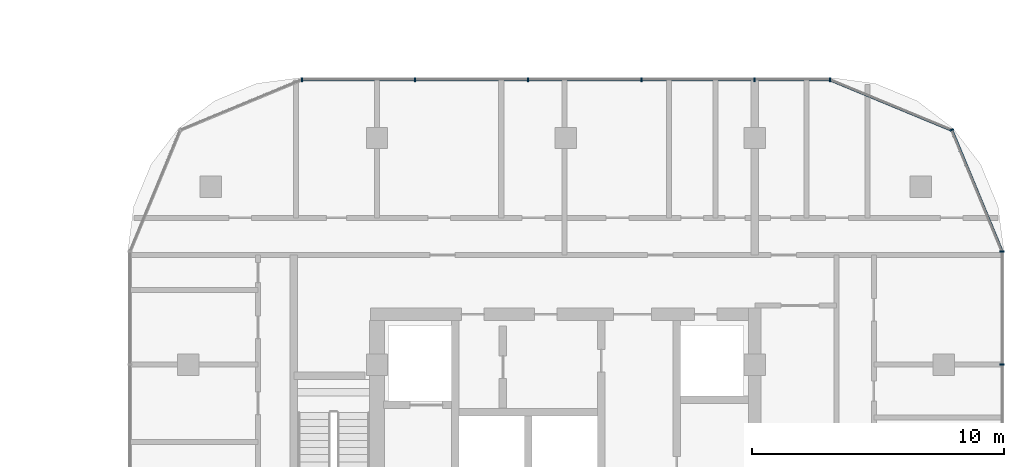
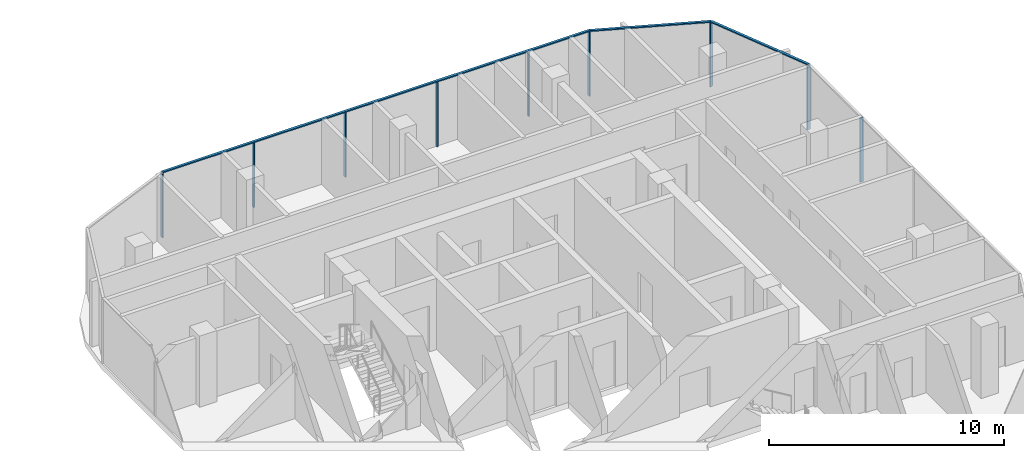
# One storey, part 14 of 34: 12 members, 3 elements without a shape of their own.
"""IFC4 building model written with IfcOpenShell, lengths in metres."""

import ifcopenshell
import ifcopenshell.guid

model = None  # the IFC model being written
_history = None  # IfcOwnerHistory: only IFC2X3 demands one
_inside = {}  # id of a spatial element -> (the spatial element, [elements in it])
_under = {}  # id of a project, library or spatial element -> (it, [spatial elements below it])
_declared = {}  # id of a project -> (the project, [libraries it declares])
_typed = {}  # id of a type object -> (the type object, [elements of that type])
_made_of = {}  # id of a material, layer set ... -> (it, [elements and type objects made of it])


def new_model(schema):
    """Start an empty IFC model of exactly this schema.

    Asked for "IFC4X3", IfcOpenShell would pick the latest addendum, in which some entities
    have other attributes; the version numbers below select the first issue.
    IFC2X3 requires an IfcOwnerHistory on every rooted entity: one is made here for all.
    """
    global model, _history
    if schema == "IFC4X3":
        model = ifcopenshell.file(schema_version=(4, 3, 0, 0))
    else:
        model = ifcopenshell.file(schema=schema)
    _inside.clear()
    _under.clear()
    _declared.clear()
    _typed.clear()
    _made_of.clear()
    _history = None
    if model.schema == "IFC2X3":
        org = make("IfcOrganization", Name="unknown")
        user = make(
            "IfcPersonAndOrganization",
            ThePerson=make("IfcPerson", FamilyName="unknown"),
            TheOrganization=org,
        )
        app = make(
            "IfcApplication",
            ApplicationDeveloper=org,
            Version="unknown",
            ApplicationFullName="unknown",
            ApplicationIdentifier="unknown",
        )
        _history = make(
            "IfcOwnerHistory",
            OwningUser=user,
            OwningApplication=app,
            ChangeAction="ADDED",
            CreationDate=0,
        )
    return model


def make(cls, **values):
    """One entity of the class cls with the attributes given. An attribute that is None is left unset."""
    return model.create_entity(
        cls, **{name: value for name, value in values.items() if value is not None}
    )


def rooted(cls, **values):
    """An entity with a GlobalId (a new one), such as an element, a storey or a relation."""
    return make(cls, GlobalId=ifcopenshell.guid.new(), OwnerHistory=_history, **values)


def si_unit(unit_type, name, prefix=None):
    """IfcSIUnit, for example si_unit("LENGTHUNIT", "METRE", prefix="MILLI")."""
    return make("IfcSIUnit", UnitType=unit_type, Prefix=prefix, Name=name)


def assignment(units):
    """IfcUnitAssignment: the units of a project."""
    return None if units is None else make("IfcUnitAssignment", Units=units)


def point(xyz):
    """IfcCartesianPoint."""
    return None if xyz is None else make("IfcCartesianPoint", Coordinates=xyz)


def direction(xyz):
    """IfcDirection."""
    return None if xyz is None else make("IfcDirection", DirectionRatios=xyz)


def frame(location, z_axis=None, x_axis=None):
    """IfcAxis2Placement3D, a coordinate frame: its origin and axes. An axis left out is left unset."""
    return make(
        "IfcAxis2Placement3D",
        Location=point(location),
        Axis=direction(z_axis),
        RefDirection=direction(x_axis),
    )


def frame_2d(location, x_axis=None):
    """IfcAxis2Placement2D, a coordinate frame in the plane: its origin and x axis."""
    return make(
        "IfcAxis2Placement2D", Location=point(location), RefDirection=direction(x_axis)
    )


def origin():
    """The frame at (0, 0, 0) with its axes left unset."""
    return frame((0.0, 0.0, 0.0))


def origin_2d():
    """The frame at (0, 0) in the plane with its x axis left unset."""
    return frame_2d((0.0, 0.0))


def place(relative_to, where):
    """IfcLocalPlacement: puts the frame where relative to a parent placement (None: the world)."""
    return make(
        "IfcLocalPlacement", PlacementRelTo=relative_to, RelativePlacement=where
    )


def context(
    kind, dimensions, precision=None, world=None, true_north=None, identifier=None
):
    """IfcGeometricRepresentationContext, for example the 3D "Model" context."""
    return make(
        "IfcGeometricRepresentationContext",
        ContextIdentifier=identifier,
        ContextType=kind,
        CoordinateSpaceDimension=dimensions,
        Precision=precision,
        WorldCoordinateSystem=world,
        TrueNorth=true_north,
    )


def subcontext(parent, identifier, kind, view, scale=None):
    """IfcGeometricRepresentationSubContext, for example "Body" below "Model"."""
    return make(
        "IfcGeometricRepresentationSubContext",
        ContextIdentifier=identifier,
        ContextType=kind,
        ParentContext=parent,
        TargetScale=scale,
        TargetView=view,
    )


def project(units=None, contexts=None):
    """IfcProject with its units and contexts."""
    return rooted(
        "IfcProject",
        Name="project",
        RepresentationContexts=contexts,
        UnitsInContext=assignment(units),
    )


def spatial(cls, under=None, at=None, **own):
    """A site, building, storey or space (cls), placed at a placement, below another one or the project."""
    s = rooted(cls, ObjectPlacement=at, **own)
    if under is not None:
        _under.setdefault(under.id(), (under, []))[1].append(s)
    return s


def profile(cls, at=None, kind="AREA", **sizes):
    """A parametric profile (cls). Its sizes go by their IFC names, for example OverallWidth=200.0."""
    return make(cls, ProfileType=kind, Position=at, **sizes)


def rectangle(**sizes):
    """IfcRectangleProfileDef."""
    return profile("IfcRectangleProfileDef", **sizes)


def extrude(swept, where, along, depth):
    """IfcExtrudedAreaSolid: the profile swept, set in the frame where, extruded along a direction by depth."""
    return make(
        "IfcExtrudedAreaSolid",
        SweptArea=swept,
        Position=where,
        ExtrudedDirection=direction(along),
        Depth=depth,
    )


def shape(context_of_items, identifier, shape_type, items):
    """IfcShapeRepresentation: the items that make up one representation, for example the "Body"."""
    return make(
        "IfcShapeRepresentation",
        ContextOfItems=context_of_items,
        RepresentationIdentifier=identifier,
        RepresentationType=shape_type,
        Items=items,
    )


def material(Name=None, Category=None):
    """IfcMaterial."""
    return make("IfcMaterial", Name=Name, Category=Category)


def material_profile(
    of_material, cross_section, Name=None, Category=None, Priority=None
):
    """IfcMaterialProfile: a cross section and its material."""
    return make(
        "IfcMaterialProfile",
        Name=Name,
        Material=of_material,
        Profile=cross_section,
        Priority=Priority,
        Category=Category,
    )


def profile_set(profiles, Name=None, composite=None):
    """IfcMaterialProfileSet."""
    return make(
        "IfcMaterialProfileSet",
        Name=Name,
        MaterialProfiles=profiles,
        CompositeProfile=composite,
    )


def made_of(thing, what):
    """Note that an element or type object is made of a material, layer set ...; save() writes the relation."""
    if what is not None:
        _made_of.setdefault(what.id(), (what, []))[1].append(thing)
    return thing


def type_object(cls, material=None, **own):
    """A type object (cls), such as IfcWallType, which elements share."""
    return made_of(rooted(cls, **own), material)


def element(
    cls,
    number,
    at=None,
    inside=None,
    cuts=None,
    type_object=None,
    material=None,
    context=None,
    identifier="Body",
    shape_type=None,
    held_by="IfcProductDefinitionShape",
    body=None,
    shapes=None,
    **own,
):
    """One element of the class cls, such as IfcWall. Its Tag is "e" and its number.

    at: its placement. inside: the storey or other place that contains it. cuts: it is an
    opening in that element (IfcRelVoidsElement). A single representation is given by context,
    identifier, shape_type and body (its items); several are given by shapes. held_by: the class
    of the entity that holds the representations. save() writes the other relations.
    """
    e = rooted(cls, Tag="e%d" % number, ObjectPlacement=at, **own)
    if body is not None:
        shapes = [shape(context, identifier, shape_type, body)]
    if shapes is not None:
        e.Representation = make(held_by, Representations=shapes)
    if inside is not None:
        _inside.setdefault(inside.id(), (inside, []))[1].append(e)
    if cuts is not None:
        rooted(
            "IfcRelVoidsElement", RelatingBuildingElement=cuts, RelatedOpeningElement=e
        )
    if type_object is not None:
        _typed.setdefault(type_object.id(), (type_object, []))[1].append(e)
    return made_of(e, material)


def aggregate(whole, parts):
    """IfcRelAggregates: a whole, such as a stair, and the parts it consists of."""
    return rooted("IfcRelAggregates", RelatingObject=whole, RelatedObjects=parts)


def save(model, path):
    """Write the relations noted so far, then the file.

    IfcRelAggregates (storeys below a building ...), IfcRelContainedInSpatialStructure (elements
    in a storey), IfcRelDefinesByType, IfcRelAssociatesMaterial and IfcRelDeclares: one each for
    every whole, place, type object, material and project.
    """
    for whole, parts in _under.values():
        aggregate(whole, parts)
    for where, things in _inside.values():
        rooted(
            "IfcRelContainedInSpatialStructure",
            RelatedElements=things,
            RelatingStructure=where,
        )
    for kind, things in _typed.values():
        rooted("IfcRelDefinesByType", RelatedObjects=things, RelatingType=kind)
    for what, things in _made_of.values():
        rooted("IfcRelAssociatesMaterial", RelatedObjects=things, RelatingMaterial=what)
    for by, libraries in _declared.values():
        rooted("IfcRelDeclares", RelatingContext=by, RelatedDefinitions=libraries)
    model.write(path)


model = new_model("IFC4")

# Units and contexts
model_context = context("Model", 3, precision=1e-05, world=origin(), true_north=direction((0.0, 1.0)))
body_context = subcontext(model_context, "Body", "Model", "MODEL_VIEW")
ifc_project = project(units=[si_unit("LENGTHUNIT", "METRE"), si_unit("AREAUNIT", "SQUARE_METRE"), si_unit("VOLUMEUNIT", "CUBIC_METRE"), si_unit("PLANEANGLEUNIT", "RADIAN"), si_unit("MASSUNIT", "GRAM", prefix="KILO")], contexts=[model_context])

# Site, building, storey
site_placement = place(None, origin())
site = spatial("IfcSite", under=ifc_project, at=site_placement, CompositionType="ELEMENT")
building_placement = place(site_placement, origin())
building = spatial("IfcBuilding", under=site, at=building_placement, Name="Ogive Portal Towers", CompositionType="ELEMENT")
storey_placement = place(building_placement, frame((0.0, 0.0, 66.800048828125)))
storey = spatial("IfcBuildingStorey", under=building, at=storey_placement, Name="L15", CompositionType="ELEMENT", Elevation=66.800048828125)

# Curtain wall, members
ifc_material_1 = material(Name="Glass, clear low-iron insulated glazing", Category="glass")
curtain_wall_type = type_object("IfcCurtainWallType", Name="CW RESIDENCES RIBBON", PredefinedType="NOTDEFINED", material=ifc_material_1)
curtain_wall_1_placement = place(storey_placement, origin())
curtain_wall_1 = element("IfcCurtainWall", 1, at=curtain_wall_1_placement, inside=storey, type_object=curtain_wall_type, Name="B:L15:f05:cw0", PredefinedType="NOTDEFINED")
ifc_material_2 = material(Name="Aluminium 6063 anodised", Category="aluminium")
ifc_material_profile_1 = material_profile(ifc_material_2, rectangle(XDim=0.159912109375, YDim=0.06005859375, at=origin_2d()), Name="AL 60x160")
ifc_profile_set_1 = profile_set([ifc_material_profile_1], Name="Aluminium 6063 anodised")
member_type_1 = type_object("IfcMemberType", Name="CW MULLION 60x160", PredefinedType="MULLION", material=ifc_profile_set_1)
member_1_placement = place(storey_placement, frame((153.820068359375, 35.5, 0.0), z_axis=(0.0, 0.0, 1.0), x_axis=(-1.0, 0.0, 0.0)))
member_1 = element("IfcMember", 2, at=member_1_placement, type_object=member_type_1, Name="mullion", PredefinedType="MULLION", context=body_context, shape_type="SweptSolid", body=[
    extrude(rectangle(XDim=0.159912109375, YDim=0.06005859375, at=origin_2d()), origin(), (0.0, 0.0, 1.0), 3.33984375),
])
member_2_placement = place(storey_placement, frame((153.820068359375, 39.984130859375, 0.0), z_axis=(0.0, 0.0, 1.0), x_axis=(-1.0, 0.0, 0.0)))
member_2 = element("IfcMember", 3, at=member_2_placement, type_object=member_type_1, Name="mullion", PredefinedType="MULLION", context=body_context, shape_type="SweptSolid", body=[
    extrude(rectangle(XDim=0.159912109375, YDim=0.06005859375, at=origin_2d()), origin(), (0.0, 0.0, 1.0), 3.33984375),
])
aggregate(curtain_wall_1, [member_1, member_2])

curtain_wall_2_placement = place(storey_placement, origin())
curtain_wall_2 = element("IfcCurtainWall", 4, at=curtain_wall_2_placement, inside=storey, type_object=curtain_wall_type, Name="B:L15:f08:cw0", PredefinedType="NOTDEFINED")
member_3_placement = place(storey_placement, frame((146.984130859375, 46.820068359375, 0.0), z_axis=(0.0, 0.0, 1.0), x_axis=(0.0, -1.0, 0.0)))
member_3 = element("IfcMember", 5, at=member_3_placement, type_object=member_type_1, Name="mullion", PredefinedType="MULLION", context=body_context, shape_type="SweptSolid", body=[
    extrude(rectangle(XDim=0.159912109375, YDim=0.06005859375, at=origin_2d()), origin(), (0.0, 0.0, 1.0), 3.33984375),
])
member_4_placement = place(storey_placement, frame((144.0, 46.820068359375, 0.0), z_axis=(0.0, 0.0, 1.0), x_axis=(0.0, -1.0, 0.0)))
member_4 = element("IfcMember", 6, at=member_4_placement, type_object=member_type_1, Name="mullion", PredefinedType="MULLION", context=body_context, shape_type="SweptSolid", body=[
    extrude(rectangle(XDim=0.159912109375, YDim=0.06005859375, at=origin_2d()), origin(), (0.0, 0.0, 1.0), 3.33984375),
])
member_5_placement = place(storey_placement, frame((139.5, 46.820068359375, 0.0), z_axis=(0.0, 0.0, 1.0), x_axis=(0.0, -1.0, 0.0)))
member_5 = element("IfcMember", 7, at=member_5_placement, type_object=member_type_1, Name="mullion", PredefinedType="MULLION", context=body_context, shape_type="SweptSolid", body=[
    extrude(rectangle(XDim=0.159912109375, YDim=0.06005859375, at=origin_2d()), origin(), (0.0, 0.0, 1.0), 3.33984375),
])
member_6_placement = place(storey_placement, frame((135.0, 46.820068359375, 0.0), z_axis=(0.0, 0.0, 1.0), x_axis=(0.0, -1.0, 0.0)))
member_6 = element("IfcMember", 8, at=member_6_placement, type_object=member_type_1, Name="mullion", PredefinedType="MULLION", context=body_context, shape_type="SweptSolid", body=[
    extrude(rectangle(XDim=0.159912109375, YDim=0.06005859375, at=origin_2d()), origin(), (0.0, 0.0, 1.0), 3.33984375),
])
member_7_placement = place(storey_placement, frame((130.5, 46.820068359375, 0.0), z_axis=(0.0, 0.0, 1.0), x_axis=(0.0, -1.0, 0.0)))
member_7 = element("IfcMember", 9, at=member_7_placement, type_object=member_type_1, Name="mullion", PredefinedType="MULLION", context=body_context, shape_type="SweptSolid", body=[
    extrude(rectangle(XDim=0.159912109375, YDim=0.06005859375, at=origin_2d()), origin(), (0.0, 0.0, 1.0), 3.33984375),
])
member_8_placement = place(storey_placement, frame((126.015869140625, 46.820068359375, 0.0), z_axis=(0.0, 0.0, 1.0), x_axis=(0.0, -1.0, 0.0)))
member_8 = element("IfcMember", 10, at=member_8_placement, type_object=member_type_1, Name="mullion", PredefinedType="MULLION", context=body_context, shape_type="SweptSolid", body=[
    extrude(rectangle(XDim=0.159912109375, YDim=0.06005859375, at=origin_2d()), origin(), (0.0, 0.0, 1.0), 3.33984375),
])

# Curtain wall, member
curtain_wall_3_placement = place(storey_placement, origin())
curtain_wall_3 = element("IfcCurtainWall", 11, at=curtain_wall_3_placement, inside=storey, type_object=curtain_wall_type, Name="B:L15:f06:cwa", PredefinedType="NOTDEFINED")
member_9_placement = place(storey_placement, frame((151.81787109375, 44.81787109375, 0.0), z_axis=(0.0, 0.0, 1.0), x_axis=(-0.923879532511, -0.382683432365, 0.0)))
member_9 = element("IfcMember", 12, at=member_9_placement, type_object=member_type_1, Name="mullion", PredefinedType="MULLION", context=body_context, shape_type="SweptSolid", body=[
    extrude(rectangle(XDim=0.159912109375, YDim=0.06005859375, at=origin_2d()), origin(), (0.0, 0.0, 1.0), 3.33984375),
])

# Member
ifc_material_profile_2 = material_profile(ifc_material_2, rectangle(XDim=0.1201171875, YDim=0.06005859375, at=origin_2d()), Name="AL 120x60")
ifc_profile_set_2 = profile_set([ifc_material_profile_2], Name="Aluminium 6063 anodised")
member_type_2 = type_object("IfcMemberType", Name="CW TRANSOM 60x120", PredefinedType="USERDEFINED", material=ifc_profile_set_2)
member_10_placement = place(storey_placement, frame((146.984130859375, 46.820068359375, 3.369873046875), z_axis=(-1.0, 0.0, 0.0), x_axis=(0.0, -1.0, 0.0)))
member_10 = element("IfcMember", 13, at=member_10_placement, type_object=member_type_2, Name="transom", ObjectType="TRANSOM", PredefinedType="USERDEFINED", context=body_context, shape_type="SweptSolid", body=[
    extrude(rectangle(XDim=0.1201171875, YDim=0.06005859375, at=origin_2d()), origin(), (0.0, 0.0, 1.0), 20.96826171875),
])

aggregate(curtain_wall_2, [member_10, member_3, member_4, member_5, member_6, member_7, member_8])

member_11_placement = place(storey_placement, frame((153.820068359375, 39.984130859375, 3.369873046875), z_axis=(-0.382682861952, 0.923879768784, 0.0), x_axis=(-0.923879768784, -0.382682861952, 0.0)))
member_11 = element("IfcMember", 14, at=member_11_placement, type_object=member_type_2, Name="transom", ObjectType="TRANSOM", PredefinedType="USERDEFINED", context=body_context, shape_type="SweptSolid", body=[
    extrude(rectangle(XDim=0.1201171875, YDim=0.06005859375, at=origin_2d()), origin(), (0.0, 0.0, 1.0), 5.23193359375),
])

member_12_placement = place(storey_placement, frame((151.81787109375, 44.81787109375, 3.369873046875), z_axis=(-0.923879768784, 0.382682861952, 0.0), x_axis=(-0.382682861952, -0.923879768784, 0.0)))
member_12 = element("IfcMember", 15, at=member_12_placement, type_object=member_type_2, Name="transom", ObjectType="TRANSOM", PredefinedType="USERDEFINED", context=body_context, shape_type="SweptSolid", body=[
    extrude(rectangle(XDim=0.1201171875, YDim=0.06005859375, at=origin_2d()), origin(), (0.0, 0.0, 1.0), 5.23193359375),
])

aggregate(curtain_wall_3, [member_11, member_12, member_9])

save(model, "model.ifc")
